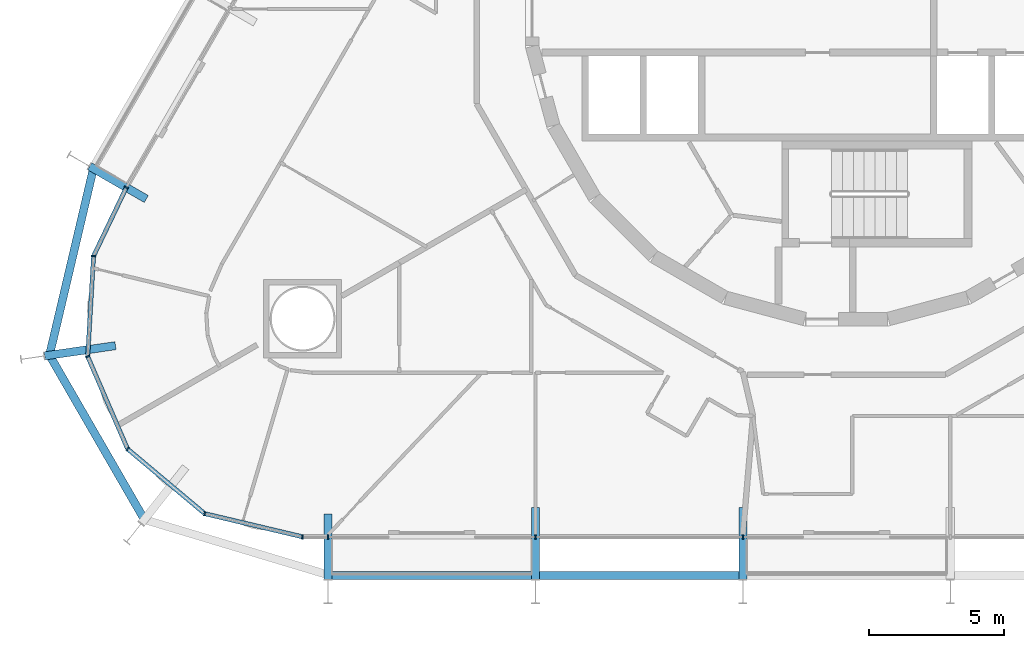
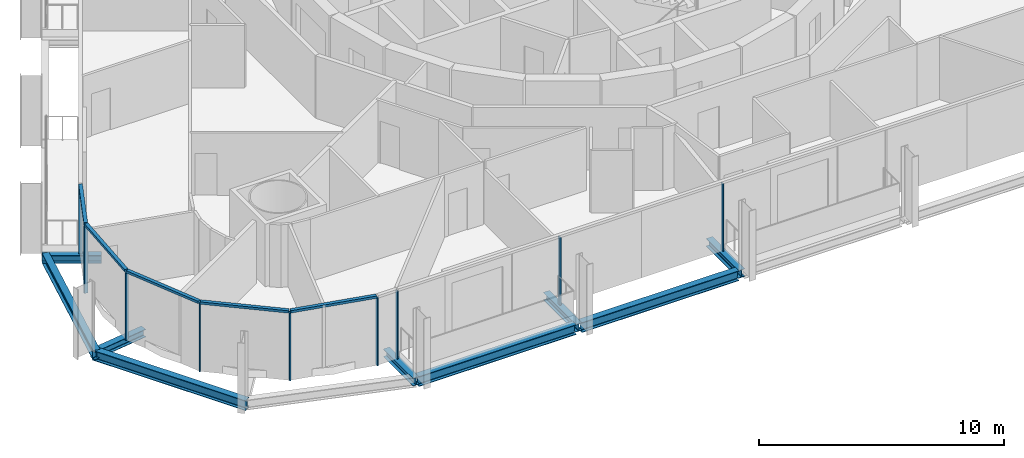
# One storey, part 3 of 21: 14 members, 9 beams, 2 elements without a shape of their own.
"""IFC4 building model written with IfcOpenShell, lengths in metres."""

from ifc_helpers import new_model, si_unit, direction, frame, origin, origin_2d, place, context, subcontext, project, spatial, rectangle, i_section, extrude, material, layer, layer_set, material_profile, profile_set, type_object, element, aggregate, save


model = new_model("IFC4")

# Units and contexts
model_context = context("Model", 3, precision=1e-05, world=origin(), true_north=direction((0.0, 1.0)))
body_context = subcontext(model_context, "Body", "Model", "MODEL_VIEW")
ifc_project = project(units=[si_unit("LENGTHUNIT", "METRE"), si_unit("AREAUNIT", "SQUARE_METRE"), si_unit("VOLUMEUNIT", "CUBIC_METRE"), si_unit("PLANEANGLEUNIT", "RADIAN"), si_unit("MASSUNIT", "GRAM", prefix="KILO")], contexts=[model_context])

# Site, building, storey
site_placement = place(None, origin())
site = spatial("IfcSite", under=ifc_project, at=site_placement, CompositionType="ELEMENT")
building_placement = place(site_placement, origin())
building = spatial("IfcBuilding", under=site, at=building_placement, Name="Spindle Arch Residences", CompositionType="ELEMENT")
storey_placement = place(building_placement, frame((0.0, 0.0, 62.89990234375)))
storey = spatial("IfcBuildingStorey", under=building, at=storey_placement, Name="L14", CompositionType="ELEMENT", Elevation=62.89990234375)

# Curtain wall, members
ifc_material_1 = material(Name="Aluminium bronze unitised frame with tinted glass", Category="aluminium")
ifc_layer_1 = layer(ifc_material_1, 0.159912109375)
ifc_layer_set_1 = layer_set([ifc_layer_1], Name="CW-D corner wall on the fillet arcs")
curtain_wall_type_1 = type_object("IfcCurtainWallType", Name="CW-D corner wall on the fillet arcs", PredefinedType="NOTDEFINED", material=ifc_layer_set_1)
curtain_wall_1_placement = place(storey_placement, origin())
curtain_wall_1 = element("IfcCurtainWall", 1, at=curtain_wall_1_placement, inside=storey, type_object=curtain_wall_type_1, Name="CW-D L14 run 5", PredefinedType="NOTDEFINED")
ifc_material_2 = material(Name="Aluminium bronze anodised mullion", Category="aluminium")
ifc_material_profile_1 = material_profile(ifc_material_2, rectangle(XDim=0.159912109375, YDim=0.06005859375, at=origin_2d()), Name="MU 60x160")
ifc_profile_set_1 = profile_set([ifc_material_profile_1], Name="Aluminium bronze anodised mullion")
member_type_1 = type_object("IfcMemberType", Name="Bronze mullion 60x160", PredefinedType="MULLION", material=ifc_profile_set_1)
member_1_placement = place(storey_placement, frame((-26.66943359375, -6.77294921875, -0.3798828125), z_axis=(0.0, 0.0, 1.0), x_axis=(0.902111889092, -0.431502189519, 0.0)))
member_1 = element("IfcMember", 2, at=member_1_placement, type_object=member_type_1, Name="CW-D mullion 00", PredefinedType="MULLION", context=body_context, shape_type="SweptSolid", body=[
    extrude(rectangle(XDim=0.159912109375, YDim=0.06005859375, at=origin_2d()), origin(), (0.0, 0.0, 1.0), 3.3798828125),
])
member_2_placement = place(storey_placement, frame((-27.884033203125, -9.3125, -0.3798828125), z_axis=(0.0, 0.0, 1.0), x_axis=(0.99830815821, -0.058144829968, 0.0)))
member_2 = element("IfcMember", 3, at=member_2_placement, type_object=member_type_1, Name="CW-D mullion 01", PredefinedType="MULLION", context=body_context, shape_type="SweptSolid", body=[
    extrude(rectangle(XDim=0.159912109375, YDim=0.06005859375, at=origin_2d()), origin(), (0.0, 0.0, 1.0), 3.3798828125),
])
member_3_placement = place(storey_placement, frame((-28.100830078125, -13.032958984375, -0.3798828125), z_axis=(0.0, 0.0, 1.0), x_axis=(0.918216106599, 0.396079766691, 0.0)))
member_3 = element("IfcMember", 4, at=member_3_placement, type_object=member_type_1, Name="CW-D mullion 02", PredefinedType="MULLION", context=body_context, shape_type="SweptSolid", body=[
    extrude(rectangle(XDim=0.159912109375, YDim=0.06005859375, at=origin_2d()), origin(), (0.0, 0.0, 1.0), 3.3798828125),
])
member_4_placement = place(storey_placement, frame((-26.624755859375, -16.454833984375, -0.3798828125), z_axis=(0.0, 0.0, 1.0), x_axis=(0.64278760716, 0.766044445239, 0.0)))
member_4 = element("IfcMember", 5, at=member_4_placement, type_object=member_type_1, Name="CW-D mullion 03", PredefinedType="MULLION", context=body_context, shape_type="SweptSolid", body=[
    extrude(rectangle(XDim=0.159912109375, YDim=0.06005859375, at=origin_2d()), origin(), (0.0, 0.0, 1.0), 3.3798828125),
])
member_5_placement = place(storey_placement, frame((-23.769775390625, -18.850341796875, -0.3798828125), z_axis=(0.0, 0.0, 1.0), x_axis=(0.230615868852, 0.973044871028, 0.0)))
member_5 = element("IfcMember", 6, at=member_5_placement, type_object=member_type_1, Name="CW-D mullion 04", PredefinedType="MULLION", context=body_context, shape_type="SweptSolid", body=[
    extrude(rectangle(XDim=0.159912109375, YDim=0.06005859375, at=origin_2d()), origin(), (0.0, 0.0, 1.0), 3.3798828125),
])
member_6_placement = place(storey_placement, frame((-20.1435546875, -19.7099609375, -0.3798828125), z_axis=(0.0, 0.0, 1.0), x_axis=(0.0, 1.0, 0.0)))
member_6 = element("IfcMember", 7, at=member_6_placement, type_object=member_type_1, Name="CW-D mullion 05", PredefinedType="MULLION", context=body_context, shape_type="SweptSolid", body=[
    extrude(rectangle(XDim=0.159912109375, YDim=0.06005859375, at=origin_2d()), origin(), (0.0, 0.0, 1.0), 3.3798828125),
])

ifc_material_3 = material(Name="Aluminium bronze unitised frame with tinted glass", Category="aluminium")
ifc_layer_2 = layer(ifc_material_3, 0.159912109375)
ifc_layer_set_2 = layer_set([ifc_layer_2], Name="CW-C typical residential unitised wall")
curtain_wall_type_2 = type_object("IfcCurtainWallType", Name="CW-C typical residential unitised wall", PredefinedType="NOTDEFINED", material=ifc_layer_set_2)
curtain_wall_2_placement = place(storey_placement, origin())
curtain_wall_2 = element("IfcCurtainWall", 8, at=curtain_wall_2_placement, inside=storey, type_object=curtain_wall_type_2, Name="CW-C L14 run 6", PredefinedType="NOTDEFINED")
member_7_placement = place(storey_placement, frame((-19.2001953125, -19.7099609375, -0.3798828125), z_axis=(0.0, 0.0, 1.0), x_axis=(0.0, 1.0, 0.0)))
member_7 = element("IfcMember", 9, at=member_7_placement, type_object=member_type_1, Name="CW-C mullion 21", PredefinedType="MULLION", context=body_context, shape_type="SweptSolid", body=[
    extrude(rectangle(XDim=0.159912109375, YDim=0.06005859375, at=origin_2d()), origin(), (0.0, 0.0, 1.0), 3.3798828125),
])
member_8_placement = place(storey_placement, frame((-11.52001953125, -19.7099609375, -0.3798828125), z_axis=(0.0, 0.0, 1.0), x_axis=(0.0, 1.0, 0.0)))
member_8 = element("IfcMember", 10, at=member_8_placement, type_object=member_type_1, Name="CW-C mullion 22", PredefinedType="MULLION", context=body_context, shape_type="SweptSolid", body=[
    extrude(rectangle(XDim=0.159912109375, YDim=0.06005859375, at=origin_2d()), origin(), (0.0, 0.0, 1.0), 3.3798828125),
])
member_9_placement = place(storey_placement, frame((-3.840087890625, -19.7099609375, -0.3798828125), z_axis=(0.0, 0.0, 1.0), x_axis=(0.0, 1.0, 0.0)))
member_9 = element("IfcMember", 11, at=member_9_placement, type_object=member_type_1, Name="CW-C mullion 23", PredefinedType="MULLION", context=body_context, shape_type="SweptSolid", body=[
    extrude(rectangle(XDim=0.159912109375, YDim=0.06005859375, at=origin_2d()), origin(), (0.0, 0.0, 1.0), 3.3798828125),
])
aggregate(curtain_wall_2, [member_7, member_8, member_9])

# Member
ifc_material_4 = material(Name="Aluminium bronze anodised transom", Category="aluminium")
ifc_material_profile_2 = material_profile(ifc_material_4, rectangle(XDim=0.159912109375, YDim=0.1201171875, at=origin_2d()), Name="TR 120x160")
ifc_profile_set_2 = profile_set([ifc_material_profile_2], Name="Aluminium bronze anodised transom")
member_type_2 = type_object("IfcMemberType", Name="Bronze transom 120x160", PredefinedType="USERDEFINED", material=ifc_profile_set_2)
member_10_placement = place(storey_placement, frame((-26.682373046875, -6.800048828125, 3.06005859375), z_axis=(-0.43147744699, -0.902123723631, 0.0), x_axis=(0.902123723631, -0.43147744699, 0.0)))
member_10 = element("IfcMember", 12, at=member_10_placement, type_object=member_type_2, Name="CW-D transom 00", ObjectType="TRANSOM", PredefinedType="USERDEFINED", context=body_context, shape_type="SweptSolid", body=[
    extrude(rectangle(XDim=0.159912109375, YDim=0.1201171875, at=origin_2d()), origin(), (0.0, 0.0, 1.0), 2.7548828125),
])

member_11_placement = place(storey_placement, frame((-27.885986328125, -9.342529296875, 3.06005859375), z_axis=(-0.058128716156, -0.998309096602, 0.0), x_axis=(0.998309096602, -0.058128716156, 0.0)))
member_11 = element("IfcMember", 13, at=member_11_placement, type_object=member_type_2, Name="CW-D transom 01", ObjectType="TRANSOM", PredefinedType="USERDEFINED", context=body_context, shape_type="SweptSolid", body=[
    extrude(rectangle(XDim=0.159912109375, YDim=0.1201171875, at=origin_2d()), origin(), (0.0, 0.0, 1.0), 3.66650390625),
])

member_12_placement = place(storey_placement, frame((-28.0888671875, -13.060546875, 3.06005859375), z_axis=(0.39603167212, -0.918236851078, 0.0), x_axis=(0.918236851078, 0.39603167212, 0.0)))
member_12 = element("IfcMember", 14, at=member_12_placement, type_object=member_type_2, Name="CW-D transom 02", ObjectType="TRANSOM", PredefinedType="USERDEFINED", context=body_context, shape_type="SweptSolid", body=[
    extrude(rectangle(XDim=0.159912109375, YDim=0.1201171875, at=origin_2d()), origin(), (0.0, 0.0, 1.0), 3.666748046875),
])

member_13_placement = place(storey_placement, frame((-26.601806640625, -16.47412109375, 3.06005859375), z_axis=(0.766006453075, -0.642832881741, 0.0), x_axis=(0.642832881741, 0.766006453075, 0.0)))
member_13 = element("IfcMember", 15, at=member_13_placement, type_object=member_type_2, Name="CW-D transom 03", ObjectType="TRANSOM", PredefinedType="USERDEFINED", context=body_context, shape_type="SweptSolid", body=[
    extrude(rectangle(XDim=0.159912109375, YDim=0.1201171875, at=origin_2d()), origin(), (0.0, 0.0, 1.0), 3.666748046875),
])

member_14_placement = place(storey_placement, frame((-23.74072265625, -18.857421875, 3.06005859375), z_axis=(0.973053560164, -0.230579203425, 0.0), x_axis=(0.230579203425, 0.973053560164, 0.0)))
member_14 = element("IfcMember", 16, at=member_14_placement, type_object=member_type_2, Name="CW-D transom 04", ObjectType="TRANSOM", PredefinedType="USERDEFINED", context=body_context, shape_type="SweptSolid", body=[
    extrude(rectangle(XDim=0.159912109375, YDim=0.1201171875, at=origin_2d()), origin(), (0.0, 0.0, 1.0), 3.666748046875),
])

aggregate(curtain_wall_1, [member_1, member_10, member_2, member_11, member_3, member_12, member_4, member_13, member_5, member_14, member_6])

# Beams
ifc_material_5 = material(Name="Steel S460ML, intumescent coating R 120", Category="steel")
ifc_material_profile_3 = material_profile(ifc_material_5, i_section(OverallWidth=0.300048828125, OverallDepth=0.5, WebThickness=0.014404296875, FlangeThickness=0.028076171875, FilletRadius=0.027099609375, at=origin_2d()), Name="HEB 500")
ifc_profile_set_3 = profile_set([ifc_material_profile_3], Name="Steel S460ML, intumescent coating R 120")
beam_type_1 = type_object("IfcBeamType", Name="Exoskeleton edge beam HEB 500", PredefinedType="BEAM", material=ifc_profile_set_3)
beam_1_placement = place(storey_placement, frame((-27.8720703125, -6.00048828125, -0.6298828125), z_axis=(-0.229185730541, -0.973382710406, 0.0), x_axis=(0.973382710406, -0.229185730541, 0.0)))
element("IfcBeam", 17, at=beam_1_placement, inside=storey, type_object=beam_type_1, Name="Exoskeleton edge beam 19", PredefinedType="BEAM", context=body_context, shape_type="SweptSolid", body=[
    extrude(i_section(OverallWidth=0.300048828125, OverallDepth=0.5, WebThickness=0.014404296875, FlangeThickness=0.028076171875, FilletRadius=0.027099609375, at=origin_2d()), origin(), (0.0, 0.0, 1.0), 7.25),
])
beam_2_placement = place(storey_placement, frame((-29.56640625, -12.892333984375, -0.6298828125), z_axis=(0.499999897272, -0.866025463095, 0.0), x_axis=(0.866025463095, 0.499999897272, 0.0)))
element("IfcBeam", 18, at=beam_2_placement, inside=storey, type_object=beam_type_1, Name="Exoskeleton edge beam 20", PredefinedType="BEAM", context=body_context, shape_type="SweptSolid", body=[
    extrude(i_section(OverallWidth=0.300048828125, OverallDepth=0.5, WebThickness=0.014404296875, FlangeThickness=0.028076171875, FilletRadius=0.027099609375, at=origin_2d()), origin(), (0.0, 0.0, 1.0), 7.236328125),
])
for number, where, z_axis, x_axis, name in (
    (19, (-19.0703125, -21.142822265625, -0.6298828125), (1.0, 0.0, 0.0), (0.0, 1.0, 0.0), "Exoskeleton edge beam 22"),
    (20, (-11.39013671875, -21.142822265625, -0.6298828125), (1.0, 0.0, 0.0), (0.0, 1.0, 0.0), "Exoskeleton edge beam 23"),
):
    element("IfcBeam", number, at=place(storey_placement, frame(where, z_axis=z_axis, x_axis=x_axis)), inside=storey, type_object=beam_type_1, Name=name, PredefinedType="BEAM", context=body_context, shape_type="SweptSolid", body=[
        extrude(i_section(OverallWidth=0.300048828125, OverallDepth=0.5, WebThickness=0.014404296875, FlangeThickness=0.028076171875, FilletRadius=0.027099609375, at=origin_2d()), origin(), (0.0, 0.0, 1.0), 7.420166015625),
    ])
ifc_material_6 = material(Name="Steel S460ML, intumescent coating R 120", Category="steel")
ifc_material_profile_4 = material_profile(ifc_material_6, i_section(OverallWidth=0.300048828125, OverallDepth=0.389892578125, WebThickness=0.010986328125, FlangeThickness=0.01904296875, FilletRadius=0.027099609375, at=origin_2d()), Name="HEA 400")
ifc_profile_set_4 = profile_set([ifc_material_profile_4], Name="Steel S460ML, intumescent coating R 120")
beam_type_2 = type_object("IfcBeamType", Name="Floor outrigger HEA 400", PredefinedType="BEAM", material=ifc_profile_set_4)
beam_3_placement = place(storey_placement, frame((-28.029052734375, -5.98779296875, -0.574951171875), z_axis=(0.866002732682, -0.500039265445, 0.0), x_axis=(0.500039265445, 0.866002732682, 0.0)))
element("IfcBeam", 21, at=beam_3_placement, inside=storey, type_object=beam_type_2, Name="Floor outrigger 19", PredefinedType="BEAM", context=body_context, shape_type="SweptSolid", body=[
    extrude(i_section(OverallWidth=0.300048828125, OverallDepth=0.389892578125, WebThickness=0.010986328125, FlangeThickness=0.01904296875, FilletRadius=0.027099609375, at=origin_2d()), origin(), (0.0, 0.0, 1.0), 2.423583984375),
])
beam_4_placement = place(storey_placement, frame((-29.694580078125, -13.009033203125, -0.574951171875), z_axis=(0.989738348309, 0.142891573883, 0.0), x_axis=(-0.142891573883, 0.989738348309, 0.0)))
element("IfcBeam", 22, at=beam_4_placement, inside=storey, type_object=beam_type_2, Name="Floor outrigger 20", PredefinedType="BEAM", context=body_context, shape_type="SweptSolid", body=[
    extrude(i_section(OverallWidth=0.300048828125, OverallDepth=0.389892578125, WebThickness=0.010986328125, FlangeThickness=0.01904296875, FilletRadius=0.027099609375, at=origin_2d()), origin(), (0.0, 0.0, 1.0), 2.64990234375),
])
beam_5_placement = place(storey_placement, frame((-19.2001953125, -21.27978515625, -0.574951171875), z_axis=(0.0, 1.0, 0.0), x_axis=(-1.0, 0.0, 0.0)))
element("IfcBeam", 23, at=beam_5_placement, inside=storey, type_object=beam_type_2, Name="Floor outrigger 22", PredefinedType="BEAM", context=body_context, shape_type="SweptSolid", body=[
    extrude(i_section(OverallWidth=0.300048828125, OverallDepth=0.389892578125, WebThickness=0.010986328125, FlangeThickness=0.01904296875, FilletRadius=0.027099609375, at=origin_2d()), origin(), (0.0, 0.0, 1.0), 2.42333984375),
])
for number, where, z_axis, x_axis, name in (
    (24, (-11.52001953125, -21.27978515625, -0.574951171875), (0.0, 1.0, 0.0), (-1.0, 0.0, 0.0), "Floor outrigger 23"),
    (25, (-3.840087890625, -21.27978515625, -0.574951171875), (0.0, 1.0, 0.0), (-1.0, 0.0, 0.0), "Floor outrigger 24"),
):
    element("IfcBeam", number, at=place(storey_placement, frame(where, z_axis=z_axis, x_axis=x_axis)), inside=storey, type_object=beam_type_2, Name=name, PredefinedType="BEAM", context=body_context, shape_type="SweptSolid", body=[
        extrude(i_section(OverallWidth=0.300048828125, OverallDepth=0.389892578125, WebThickness=0.010986328125, FlangeThickness=0.01904296875, FilletRadius=0.027099609375, at=origin_2d()), origin(), (0.0, 0.0, 1.0), 2.64990234375),
    ])

save(model, "model.ifc")
